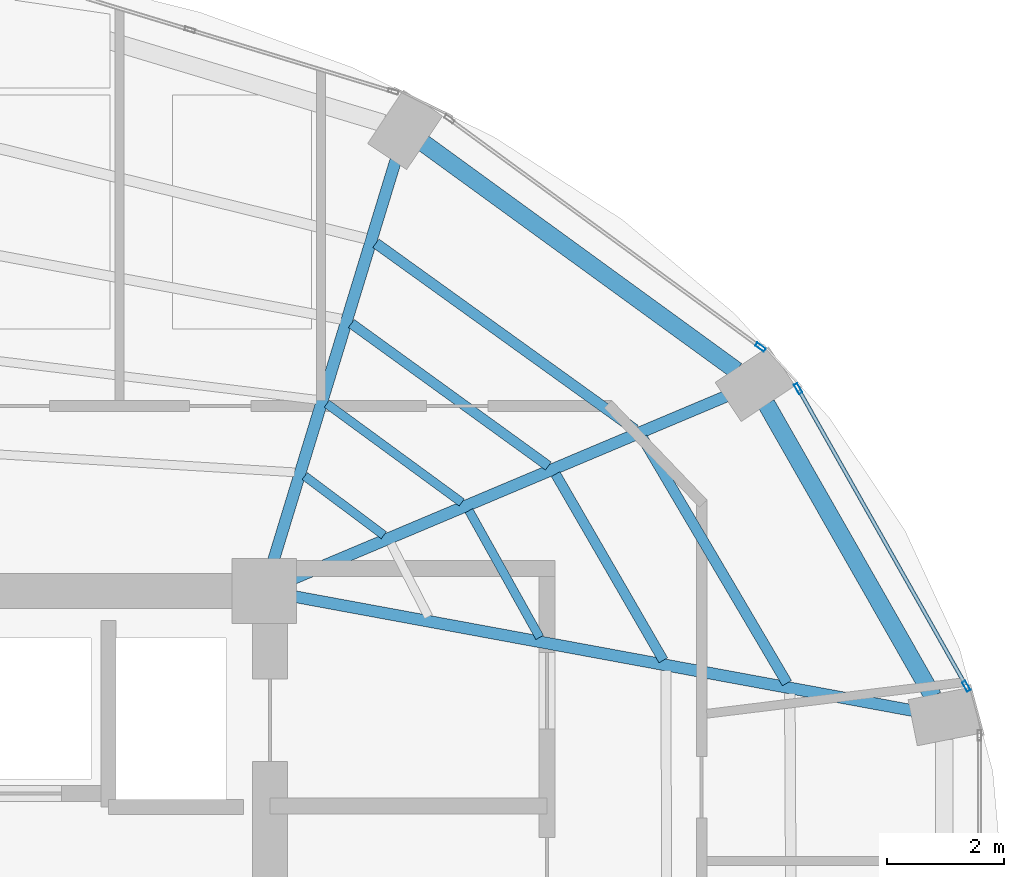
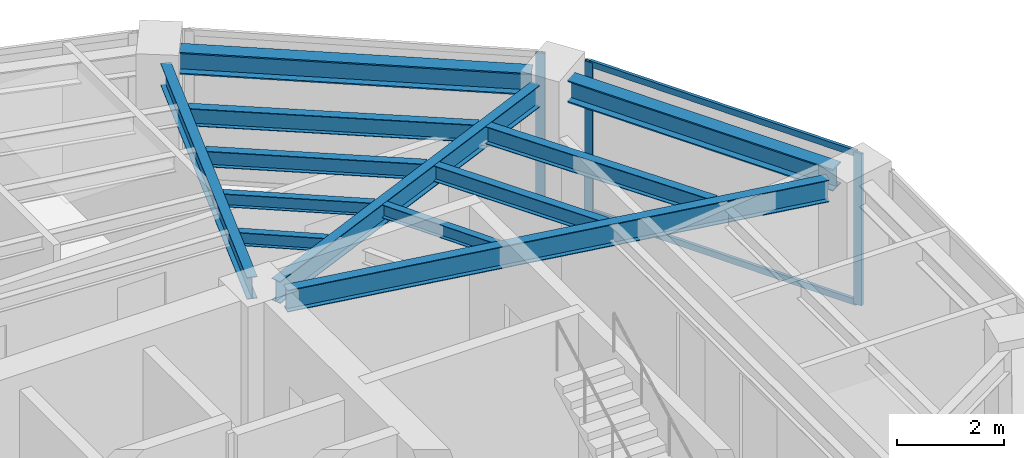
# One storey, part 14 of 22: 12 beams, 5 members, 2 elements without a shape of their own.
"""IFC4 building model written with IfcOpenShell, lengths in metres."""

from ifc_helpers import new_model, si_unit, direction, frame, origin, origin_2d, place, context, subcontext, project, spatial, hollow_rectangle, i_section, extrude, material, layer, layer_set, material_profile, profile_set, type_object, element, aggregate, save


model = new_model("IFC4")

# Units and contexts
model_context = context("Model", 3, precision=1e-05, world=origin(), true_north=direction((0.0, 1.0)))
body_context = subcontext(model_context, "Body", "Model", "MODEL_VIEW")
ifc_project = project(units=[si_unit("LENGTHUNIT", "METRE"), si_unit("AREAUNIT", "SQUARE_METRE"), si_unit("VOLUMEUNIT", "CUBIC_METRE"), si_unit("PLANEANGLEUNIT", "RADIAN"), si_unit("MASSUNIT", "GRAM", prefix="KILO")], contexts=[model_context])

# Site, building, storey
site_placement = place(None, origin())
site = spatial("IfcSite", under=ifc_project, at=site_placement, CompositionType="ELEMENT")
building_placement = place(site_placement, origin())
building = spatial("IfcBuilding", under=site, at=building_placement, Name="Lazwardi Medical Tower", CompositionType="ELEMENT")
storey_placement = place(building_placement, frame((0.0, 0.0, 224.01611328125)))
storey = spatial("IfcBuildingStorey", under=building, at=storey_placement, Name="L58", CompositionType="ELEMENT", Elevation=224.01611328125)

# Beams
ifc_material_1 = material(Name="Steel S355", Category="steel")
ifc_material_profile_1 = material_profile(ifc_material_1, i_section(OverallWidth=0.300048828125, OverallDepth=0.5, WebThickness=0.014404296875, FlangeThickness=0.028076171875, at=origin_2d()), Name="HEB 500")
ifc_profile_set_1 = profile_set([ifc_material_profile_1], Name="Steel S355")
beam_type_1 = type_object("IfcBeamType", Name="BM-RB-Z4", PredefinedType="BEAM", material=ifc_profile_set_1)
beam_1_placement = place(storey_placement, frame((56.991943359375, 33.8017578125, 3.197998046875), z_axis=(-0.495125273299, 0.868821594886, 0.0), x_axis=(-0.868821594886, -0.495125273299, 0.0)))
element("IfcBeam", 1, at=beam_1_placement, inside=storey, type_object=beam_type_1, Name="Ring beam RB-05 B05 L58", PredefinedType="BEAM", context=body_context, shape_type="SweptSolid", body=[
    extrude(i_section(OverallWidth=0.300048828125, OverallDepth=0.5, WebThickness=0.014404296875, FlangeThickness=0.028076171875, at=origin_2d()), origin(), (0.0, 0.0, 1.0), 5.734130859375),
])
beam_2_placement = place(storey_placement, frame((53.644287109375, 39.351806640625, 3.197998046875), z_axis=(-0.808889916254, 0.587960120571, 0.0), x_axis=(-0.587960120571, -0.808889916254, 0.0)))
element("IfcBeam", 2, at=beam_2_placement, inside=storey, type_object=beam_type_1, Name="Ring beam RB-05 B06 L58", PredefinedType="BEAM", context=body_context, shape_type="SweptSolid", body=[
    extrude(i_section(OverallWidth=0.300048828125, OverallDepth=0.5, WebThickness=0.014404296875, FlangeThickness=0.028076171875, at=origin_2d()), origin(), (0.0, 0.0, 1.0), 6.587158203125),
])
ifc_material_profile_2 = material_profile(ifc_material_1, i_section(OverallWidth=0.199951171875, OverallDepth=0.5, WebThickness=0.01025390625, FlangeThickness=0.01611328125, at=origin_2d()), Name="IPE 500")
ifc_profile_set_2 = profile_set([ifc_material_profile_2], Name="Steel S355")
beam_type_2 = type_object("IfcBeamType", Name="BM-RG-W3", PredefinedType="BEAM", material=ifc_profile_set_2)
beam_3_placement = place(storey_placement, frame((56.658935546875, 33.56005859375, 3.197998046875), z_axis=(-0.983409341459, 0.181400295288, 0.0), x_axis=(-0.181400295288, -0.983409341459, 0.0)))
element("IfcBeam", 3, at=beam_3_placement, inside=storey, type_object=beam_type_2, Name="Radial girder RG-04 R05 L58", PredefinedType="BEAM", context=body_context, shape_type="SweptSolid", body=[
    extrude(i_section(OverallWidth=0.199951171875, OverallDepth=0.5, WebThickness=0.01025390625, FlangeThickness=0.01611328125, at=origin_2d()), origin(), (0.0, 0.0, 1.0), 10.71044921875),
])
beam_4_placement = place(storey_placement, frame((53.466796875, 38.914794921875, 3.197998046875), z_axis=(-0.921526791352, -0.388314785735, 0.0), x_axis=(0.388314785735, -0.921526791352, 0.0)))
element("IfcBeam", 4, at=beam_4_placement, inside=storey, type_object=beam_type_2, Name="Radial girder RG-04 R06 L58", PredefinedType="BEAM", context=body_context, shape_type="SweptSolid", body=[
    extrude(i_section(OverallWidth=0.199951171875, OverallDepth=0.5, WebThickness=0.01025390625, FlangeThickness=0.01611328125, at=origin_2d()), origin(), (0.0, 0.0, 1.0), 8.001708984375),
])
beam_5_placement = place(storey_placement, frame((47.843994140625, 42.9423828125, 3.197998046875), z_axis=(-0.292276716539, -0.956333791607, 0.0), x_axis=(0.956333791607, -0.292276716539, 0.0)))
element("IfcBeam", 5, at=beam_5_placement, inside=storey, type_object=beam_type_2, Name="Radial girder RG-04 R07 L58", PredefinedType="BEAM", context=body_context, shape_type="SweptSolid", body=[
    extrude(i_section(OverallWidth=0.199951171875, OverallDepth=0.5, WebThickness=0.01025390625, FlangeThickness=0.01611328125, at=origin_2d()), origin(), (0.0, 0.0, 1.0), 7.142822265625),
])
ifc_material_profile_3 = material_profile(ifc_material_1, i_section(OverallWidth=0.179931640625, OverallDepth=0.39990234375, WebThickness=0.008544921875, FlangeThickness=0.013427734375, at=origin_2d()), Name="IPE 400")
ifc_profile_set_3 = profile_set([ifc_material_profile_3], Name="Steel S355")
beam_type_3 = type_object("IfcBeamType", Name="BM-SJ-01", PredefinedType="JOIST", material=ifc_profile_set_3)
beam_6_placement = place(storey_placement, frame((54.504150390625, 34.030517578125, 3.247802734375), z_axis=(-0.507710311367, 0.861527851977, 0.0), x_axis=(-0.861527851977, -0.507710311367, 0.0)))
element("IfcBeam", 6, at=beam_6_placement, inside=storey, type_object=beam_type_3, Name="Secondary joist SJ-01 R1 B05 L58", PredefinedType="JOIST", context=body_context, shape_type="SweptSolid", body=[
    extrude(i_section(OverallWidth=0.179931640625, OverallDepth=0.39990234375, WebThickness=0.008544921875, FlangeThickness=0.013427734375, at=origin_2d()), origin(), (0.0, 0.0, 1.0), 4.852783203125),
])
beam_7_placement = place(storey_placement, frame((51.914794921875, 38.348876953125, 3.247802734375), z_axis=(-0.811889581337, 0.58381102055, 0.0), x_axis=(-0.58381102055, -0.811889581337, 0.0)))
element("IfcBeam", 7, at=beam_7_placement, inside=storey, type_object=beam_type_3, Name="Secondary joist SJ-01 R1 B06 L58", PredefinedType="JOIST", context=body_context, shape_type="SweptSolid", body=[
    extrude(i_section(OverallWidth=0.179931640625, OverallDepth=0.39990234375, WebThickness=0.008544921875, FlangeThickness=0.013427734375, at=origin_2d()), origin(), (0.0, 0.0, 1.0), 5.433349609375),
])
ifc_material_profile_4 = material_profile(ifc_material_1, i_section(OverallWidth=0.169921875, OverallDepth=0.360107421875, WebThickness=0.008056640625, FlangeThickness=0.0126953125, at=origin_2d()), Name="IPE 360")
ifc_profile_set_4 = profile_set([ifc_material_profile_4], Name="Steel S355")
beam_type_4 = type_object("IfcBeamType", Name="BM-SJ-02", PredefinedType="JOIST", material=ifc_profile_set_4)
beam_8_placement = place(storey_placement, frame((52.398193359375, 34.41943359375, 3.267822265625), z_axis=(-0.500655179543, 0.865646805109, 0.0), x_axis=(-0.865646805109, -0.500655179543, 0.0)))
element("IfcBeam", 8, at=beam_8_placement, inside=storey, type_object=beam_type_4, Name="Secondary joist SJ-02 R2 B05 L58", PredefinedType="JOIST", context=body_context, shape_type="SweptSolid", body=[
    extrude(i_section(OverallWidth=0.169921875, OverallDepth=0.360107421875, WebThickness=0.008056640625, FlangeThickness=0.0126953125, at=origin_2d()), origin(), (0.0, 0.0, 1.0), 3.662109375),
])
beam_9_placement = place(storey_placement, frame((50.440185546875, 37.7275390625, 3.267822265625), z_axis=(-0.810164229155, 0.586202969796, 0.0), x_axis=(-0.586202969796, -0.810164229155, 0.0)))
element("IfcBeam", 9, at=beam_9_placement, inside=storey, type_object=beam_type_4, Name="Secondary joist SJ-02 R2 B06 L58", PredefinedType="JOIST", context=body_context, shape_type="SweptSolid", body=[
    extrude(i_section(OverallWidth=0.169921875, OverallDepth=0.360107421875, WebThickness=0.008056640625, FlangeThickness=0.0126953125, at=origin_2d()), origin(), (0.0, 0.0, 1.0), 4.14013671875),
])
ifc_material_profile_5 = material_profile(ifc_material_1, i_section(OverallWidth=0.14990234375, OverallDepth=0.300048828125, WebThickness=0.007080078125, FlangeThickness=0.0107421875, at=origin_2d()), Name="IPE 300")
ifc_profile_set_5 = profile_set([ifc_material_profile_5], Name="Steel S355")
beam_type_5 = type_object("IfcBeamType", Name="BM-SJ-03", PredefinedType="JOIST", material=ifc_profile_set_5)
beam_10_placement = place(storey_placement, frame((50.29296875, 34.80859375, 3.2978515625), z_axis=(-0.487092942089, 0.873350139272, 0.0), x_axis=(-0.873350139272, -0.487092942089, 0.0)))
element("IfcBeam", 10, at=beam_10_placement, inside=storey, type_object=beam_type_5, Name="Secondary joist SJ-03 R3 B05 L58", PredefinedType="JOIST", context=body_context, shape_type="SweptSolid", body=[
    extrude(i_section(OverallWidth=0.14990234375, OverallDepth=0.300048828125, WebThickness=0.007080078125, FlangeThickness=0.0107421875, at=origin_2d()), origin(), (0.0, 0.0, 1.0), 2.471923828125),
])
beam_11_placement = place(storey_placement, frame((48.9658203125, 37.106689453125, 3.2978515625), z_axis=(-0.80703431267, 0.59050454543, 0.0), x_axis=(-0.59050454543, -0.80703431267, 0.0)))
element("IfcBeam", 11, at=beam_11_placement, inside=storey, type_object=beam_type_5, Name="Secondary joist SJ-03 R3 B06 L58", PredefinedType="JOIST", context=body_context, shape_type="SweptSolid", body=[
    extrude(i_section(OverallWidth=0.14990234375, OverallDepth=0.300048828125, WebThickness=0.007080078125, FlangeThickness=0.0107421875, at=origin_2d()), origin(), (0.0, 0.0, 1.0), 2.846923828125),
])
beam_12_placement = place(storey_placement, frame((47.63916015625, 36.548095703125, 3.2978515625), z_axis=(-0.800365301971, 0.599512621553, 0.0), x_axis=(-0.599512621553, -0.800365301971, 0.0)))
element("IfcBeam", 12, at=beam_12_placement, inside=storey, type_object=beam_type_5, Name="Secondary joist SJ-03 R4 B06 L58", PredefinedType="JOIST", context=body_context, shape_type="SweptSolid", body=[
    extrude(i_section(OverallWidth=0.14990234375, OverallDepth=0.300048828125, WebThickness=0.007080078125, FlangeThickness=0.0107421875, at=origin_2d()), origin(), (0.0, 0.0, 1.0), 1.68359375),
])

# Curtain wall, members
ifc_material_2 = material(Name="Anodised bronze aluminium and solar control glazing", Category="aluminium")
ifc_layer = layer(ifc_material_2, 0.18994140625)
ifc_layer_set = layer_set([ifc_layer], Name="Anodised bronze aluminium and solar control glazing")
curtain_wall_type = type_object("IfcCurtainWallType", Name="CW-SYS-04", PredefinedType="NOTDEFINED", material=ifc_layer_set)
curtain_wall_1_placement = place(storey_placement, origin())
curtain_wall_1 = element("IfcCurtainWall", 13, at=curtain_wall_1_placement, inside=storey, type_object=curtain_wall_type, Name="L58 Unitised bronze curtain wall CW-04", PredefinedType="NOTDEFINED")
ifc_material_3 = material(Name="Anodised bronze aluminium", Category="aluminium")
ifc_material_profile_6 = material_profile(ifc_material_3, hollow_rectangle(XDim=0.06494140625, YDim=0.179931640625, WallThickness=0.00390625, at=origin_2d()), Name="ALU-MULLION 180x65x4")
ifc_profile_set_6 = profile_set([ifc_material_profile_6], Name="Anodised bronze aluminium")
member_type_1 = type_object("IfcMemberType", Name="CW-MUL-03", PredefinedType="MULLION", material=ifc_profile_set_6)
member_1_placement = place(storey_placement, frame((57.557373046875, 33.978271484375, 0.0), z_axis=(0.0, 0.0, 1.0), x_axis=(-0.870651436011, -0.491900474661, 0.0)))
member_1 = element("IfcMember", 14, at=member_1_placement, type_object=member_type_1, Name="CW-04 mullion 1", PredefinedType="MULLION", context=body_context, shape_type="SweptSolid", body=[
    extrude(hollow_rectangle(XDim=0.06494140625, YDim=0.179931640625, WallThickness=0.00390625, at=origin_2d()), origin(), (0.0, 0.0, 1.0), 3.447998046875),
])
member_2_placement = place(storey_placement, frame((54.6943359375, 39.04541015625, 0.0), z_axis=(0.0, 0.0, 1.0), x_axis=(-0.870651436011, -0.491900474661, 0.0)))
member_2 = element("IfcMember", 15, at=member_2_placement, type_object=member_type_1, Name="CW-04 mullion 2", PredefinedType="MULLION", context=body_context, shape_type="SweptSolid", body=[
    extrude(hollow_rectangle(XDim=0.06494140625, YDim=0.179931640625, WallThickness=0.00390625, at=origin_2d()), origin(), (0.0, 0.0, 1.0), 3.447998046875),
])

# Curtain wall, member
curtain_wall_2_placement = place(storey_placement, origin())
curtain_wall_2 = element("IfcCurtainWall", 16, at=curtain_wall_2_placement, inside=storey, type_object=curtain_wall_type, Name="L58 Unitised bronze curtain wall CW-04", PredefinedType="NOTDEFINED")
member_3_placement = place(storey_placement, frame((54.052001953125, 39.751708984375, 0.0), z_axis=(0.0, 0.0, 1.0), x_axis=(-0.591268230971, -0.806474971121, 0.0)))
member_3 = element("IfcMember", 17, at=member_3_placement, type_object=member_type_1, Name="CW-04 mullion 1", PredefinedType="MULLION", context=body_context, shape_type="SweptSolid", body=[
    extrude(hollow_rectangle(XDim=0.06494140625, YDim=0.179931640625, WallThickness=0.00390625, at=origin_2d()), origin(), (0.0, 0.0, 1.0), 3.447998046875),
])
aggregate(curtain_wall_2, [member_3])

# Member
ifc_material_profile_7 = material_profile(ifc_material_3, hollow_rectangle(XDim=0.06494140625, YDim=0.139892578125, WallThickness=0.00341796875, at=origin_2d()), Name="ALU-TRANSOM 140x65x3.5")
ifc_profile_set_7 = profile_set([ifc_material_profile_7], Name="Anodised bronze aluminium")
member_type_2 = type_object("IfcMemberType", Name="CW-TRN-03", PredefinedType="USERDEFINED", material=ifc_profile_set_7)
member_4_placement = place(storey_placement, frame((57.541259765625, 34.006591796875, 0.032470703125), z_axis=(-0.491897887635, 0.870652897623, 0.0), x_axis=(-0.870652897623, -0.491897887635, 0.0)))
member_4 = element("IfcMember", 18, at=member_4_placement, type_object=member_type_2, Name="CW-04 transom 1.1", ObjectType="TRANSOM", PredefinedType="USERDEFINED", context=body_context, shape_type="SweptSolid", body=[
    extrude(hollow_rectangle(XDim=0.06494140625, YDim=0.139892578125, WallThickness=0.00341796875, at=origin_2d()), origin(), (0.0, 0.0, 1.0), 5.7548828125),
])

member_5_placement = place(storey_placement, frame((57.541259765625, 34.006591796875, 3.415283203125), z_axis=(-0.491897887635, 0.870652897623, 0.0), x_axis=(-0.870652897623, -0.491897887635, 0.0)))
member_5 = element("IfcMember", 19, at=member_5_placement, type_object=member_type_2, Name="CW-04 transom 1.2", ObjectType="TRANSOM", PredefinedType="USERDEFINED", context=body_context, shape_type="SweptSolid", body=[
    extrude(hollow_rectangle(XDim=0.06494140625, YDim=0.139892578125, WallThickness=0.00341796875, at=origin_2d()), origin(), (0.0, 0.0, 1.0), 5.7548828125),
])

aggregate(curtain_wall_1, [member_1, member_2, member_4, member_5])

save(model, "model.ifc")
